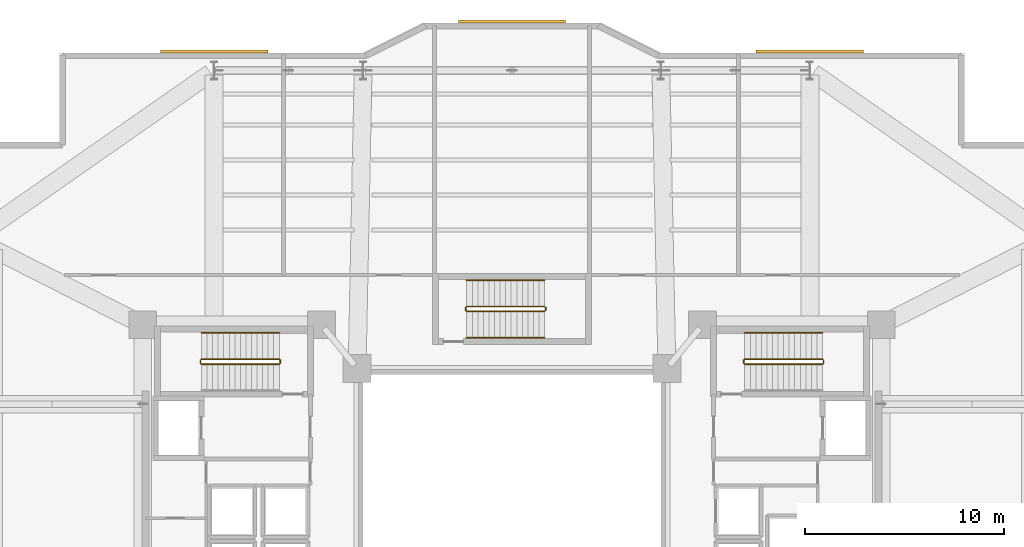
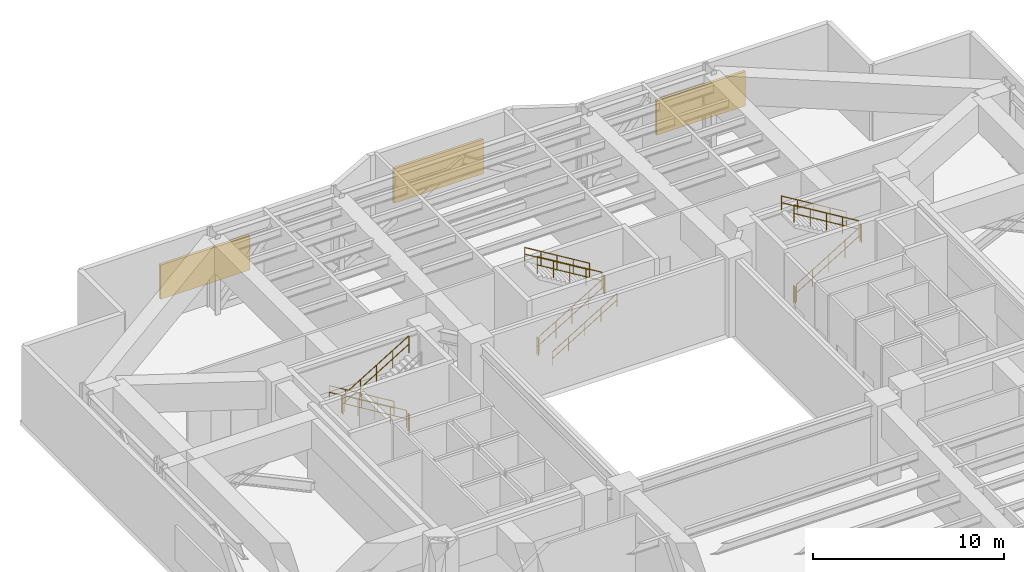
# One storey, part 12 of 12: 16 railings, 3 shading devices.
"""IFC4 building model written with IfcOpenShell, lengths in metres."""

from ifc_helpers import new_model, si_unit, direction, frame, origin, origin_2d, place, context, subcontext, project, spatial, rectangle, circle, extrude, material, layer, layer_set, type_object, element, save


model = new_model("IFC4")

# Units and contexts
model_context = context("Model", 3, precision=1e-05, world=origin(), true_north=direction((0.0, 1.0)))
body_context = subcontext(model_context, "Body", "Model", "MODEL_VIEW")
ifc_project = project(units=[si_unit("LENGTHUNIT", "METRE"), si_unit("AREAUNIT", "SQUARE_METRE"), si_unit("VOLUMEUNIT", "CUBIC_METRE"), si_unit("PLANEANGLEUNIT", "RADIAN"), si_unit("MASSUNIT", "GRAM", prefix="KILO")], contexts=[model_context])

# Site, building, storey
site_placement = place(None, origin())
site = spatial("IfcSite", under=ifc_project, at=site_placement, CompositionType="ELEMENT")
building_placement = place(site_placement, origin())
building = spatial("IfcBuilding", under=site, at=building_placement, Name="Tarnavaz Court Tower", CompositionType="ELEMENT")
storey_placement = place(building_placement, frame((0.0, 0.0, 73.199951171875)))
storey = spatial("IfcBuildingStorey", under=building, at=storey_placement, Name="L19", CompositionType="ELEMENT", Elevation=73.199951171875)

# Railings
ifc_material_1 = material(Name="Brushed Stainless Steel", Category="steel")
railing_type_1 = type_object("IfcRailingType", Name="RL-HANDRAIL-900", PredefinedType="HANDRAIL", material=ifc_material_1)
railing_1_placement = place(storey_placement, frame((-11.719970703125, 9.590087890625, 0.170166015625)))
element("IfcRailing", 1, at=railing_1_placement, inside=storey, type_object=railing_type_1, Name="L19 ST-W1 stair handrail 1", PredefinedType="HANDRAIL", context=body_context, shape_type="SweptSolid", body=[
    extrude(circle(Radius=0.02392578125, at=origin_2d()), frame((0.0, 0.0, 0.8759765625), z_axis=(-0.854794262968, 0.0, 0.518967020143), x_axis=(0.0, -1.0, 0.0)), (0.0, 0.0, 1.0), 4.585693359375),
    extrude(circle(Radius=0.02392578125, at=origin_2d()), frame((0.0, 0.0, 0.449951171875), z_axis=(-0.854794262968, 0.0, 0.518967020143), x_axis=(0.0, -1.0, 0.0)), (0.0, 0.0, 1.0), 4.585693359375),
    extrude(circle(Radius=0.02099609375, at=origin_2d()), origin(), (0.0, 0.0, 1.0), 0.851806640625),
    extrude(circle(Radius=0.02099609375, at=origin_2d()), frame((-0.97998046875, 0.0, 0.594970703125)), (0.0, 0.0, 1.0), 0.851806640625),
    extrude(circle(Radius=0.02099609375, at=origin_2d()), frame((-1.9599609375, 0.0, 1.18994140625)), (0.0, 0.0, 1.0), 0.851806640625),
    extrude(circle(Radius=0.02099609375, at=origin_2d()), frame((-2.93994140625, 0.0, 1.784912109375)), (0.0, 0.0, 1.0), 0.851806640625),
    extrude(circle(Radius=0.02099609375, at=origin_2d()), frame((-3.919921875, 0.0, 2.3798828125)), (0.0, 0.0, 1.0), 0.851806640625),
])
railing_2_placement = place(storey_placement, frame((15.639892578125, 9.590087890625, 2.719970703125)))
element("IfcRailing", 2, at=railing_2_placement, inside=storey, type_object=railing_type_1, Name="L19 ST-E1 stair handrail 2", PredefinedType="HANDRAIL", context=body_context, shape_type="SweptSolid", body=[
    extrude(circle(Radius=0.02392578125, at=origin_2d()), frame((0.0, 0.0, 0.8759765625), z_axis=(-0.854770645689, 0.0, 0.519005918337), x_axis=(0.0, -1.0, 0.0)), (0.0, 0.0, 1.0), 4.5859375),
    extrude(circle(Radius=0.02392578125, at=origin_2d()), frame((0.0, 0.0, 0.449951171875), z_axis=(-0.854770645689, 0.0, 0.519005918337), x_axis=(0.0, -1.0, 0.0)), (0.0, 0.0, 1.0), 4.5859375),
    extrude(circle(Radius=0.02099609375, at=origin_2d()), origin(), (0.0, 0.0, 1.0), 0.851806640625),
    extrude(circle(Radius=0.02099609375, at=origin_2d()), frame((-0.97998046875, 0.0, 0.594970703125)), (0.0, 0.0, 1.0), 0.851806640625),
    extrude(circle(Radius=0.02099609375, at=origin_2d()), frame((-1.9599609375, 0.0, 1.18994140625)), (0.0, 0.0, 1.0), 0.851806640625),
    extrude(circle(Radius=0.02099609375, at=origin_2d()), frame((-2.93994140625, 0.0, 1.78515625)), (0.0, 0.0, 1.0), 0.851806640625),
    extrude(circle(Radius=0.02099609375, at=origin_2d()), frame((-3.919921875, 0.0, 2.380126953125)), (0.0, 0.0, 1.0), 0.851806640625),
])
railing_3_placement = place(storey_placement, frame((-2.280029296875, 9.35009765625, 0.170166015625)))
element("IfcRailing", 3, at=railing_3_placement, inside=storey, type_object=railing_type_1, Name="L19 ST-N1 stair handrail 1", PredefinedType="HANDRAIL", context=body_context, shape_type="SweptSolid", body=[
    extrude(circle(Radius=0.02392578125, at=origin_2d()), frame((0.0, 0.0, 0.8759765625), z_axis=(0.854794262968, 0.0, 0.518967020143), x_axis=(0.0, 1.0, 0.0)), (0.0, 0.0, 1.0), 4.585693359375),
    extrude(circle(Radius=0.02392578125, at=origin_2d()), frame((0.0, 0.0, 0.449951171875), z_axis=(0.854794262968, 0.0, 0.518967020143), x_axis=(0.0, 1.0, 0.0)), (0.0, 0.0, 1.0), 4.585693359375),
    extrude(circle(Radius=0.02099609375, at=origin_2d()), origin(), (0.0, 0.0, 1.0), 0.851806640625),
    extrude(circle(Radius=0.02099609375, at=origin_2d()), frame((0.97998046875, 0.0, 0.594970703125)), (0.0, 0.0, 1.0), 0.851806640625),
    extrude(circle(Radius=0.02099609375, at=origin_2d()), frame((1.9599609375, 0.0, 1.18994140625)), (0.0, 0.0, 1.0), 0.851806640625),
    extrude(circle(Radius=0.02099609375, at=origin_2d()), frame((2.93994140625, 0.0, 1.784912109375)), (0.0, 0.0, 1.0), 0.851806640625),
    extrude(circle(Radius=0.02099609375, at=origin_2d()), frame((3.919921875, 0.0, 2.3798828125)), (0.0, 0.0, 1.0), 0.851806640625),
])
railing_4_placement = place(storey_placement, frame((1.639892578125, 12.239990234375, 2.719970703125)))
element("IfcRailing", 4, at=railing_4_placement, inside=storey, type_object=railing_type_1, Name="L19 ST-N1 stair handrail 2", PredefinedType="HANDRAIL", context=body_context, shape_type="SweptSolid", body=[
    extrude(circle(Radius=0.02392578125, at=origin_2d()), frame((0.0, 0.0, 0.8759765625), z_axis=(-0.854770645689, 0.0, 0.519005918337), x_axis=(0.0, -1.0, 0.0)), (0.0, 0.0, 1.0), 4.5859375),
    extrude(circle(Radius=0.02392578125, at=origin_2d()), frame((0.0, 0.0, 0.449951171875), z_axis=(-0.854770645689, 0.0, 0.519005918337), x_axis=(0.0, -1.0, 0.0)), (0.0, 0.0, 1.0), 4.5859375),
    extrude(circle(Radius=0.02099609375, at=origin_2d()), origin(), (0.0, 0.0, 1.0), 0.851806640625),
    extrude(circle(Radius=0.02099609375, at=origin_2d()), frame((-0.97998046875, 0.0, 0.594970703125)), (0.0, 0.0, 1.0), 0.851806640625),
    extrude(circle(Radius=0.02099609375, at=origin_2d()), frame((-1.9599609375, 0.0, 1.18994140625)), (0.0, 0.0, 1.0), 0.851806640625),
    extrude(circle(Radius=0.02099609375, at=origin_2d()), frame((-2.93994140625, 0.0, 1.78515625)), (0.0, 0.0, 1.0), 0.851806640625),
    extrude(circle(Radius=0.02099609375, at=origin_2d()), frame((-3.919921875, 0.0, 2.380126953125)), (0.0, 0.0, 1.0), 0.851806640625),
])
ifc_material_2 = material(Name="Galvanized Painted Tubular Steel", Category="steel")
railing_type_2 = type_object("IfcRailingType", Name="RL-STGUARD-1120", PredefinedType="GUARDRAIL", material=ifc_material_2)
railing_5_placement = place(storey_placement, frame((-11.719970703125, 8.27001953125, 0.170166015625)))
element("IfcRailing", 5, at=railing_5_placement, inside=storey, type_object=railing_type_2, Name="L19 ST-W1 stair guard 1", PredefinedType="GUARDRAIL", context=body_context, shape_type="SweptSolid", body=[
    extrude(circle(Radius=0.02392578125, at=origin_2d()), frame((0.0, 0.0, 1.09619140625), z_axis=(-0.854794262968, 0.0, 0.518967020143), x_axis=(0.0, -1.0, 0.0)), (0.0, 0.0, 1.0), 4.585693359375),
    extrude(circle(Radius=0.02392578125, at=origin_2d()), frame((0.0, 0.0, 0.56005859375), z_axis=(-0.854794262968, 0.0, 0.518967020143), x_axis=(0.0, -1.0, 0.0)), (0.0, 0.0, 1.0), 4.585693359375),
    extrude(circle(Radius=0.02099609375, at=origin_2d()), origin(), (0.0, 0.0, 1.0), 1.072021484375),
    extrude(circle(Radius=0.02099609375, at=origin_2d()), frame((-0.97998046875, 0.0, 0.594970703125)), (0.0, 0.0, 1.0), 1.072021484375),
    extrude(circle(Radius=0.02099609375, at=origin_2d()), frame((-1.9599609375, 0.0, 1.18994140625)), (0.0, 0.0, 1.0), 1.072021484375),
    extrude(circle(Radius=0.02099609375, at=origin_2d()), frame((-2.93994140625, 0.0, 1.784912109375)), (0.0, 0.0, 1.0), 1.072021484375),
    extrude(circle(Radius=0.02099609375, at=origin_2d()), frame((-3.919921875, 0.0, 2.3798828125)), (0.0, 0.0, 1.0), 1.072021484375),
])
railing_6_placement = place(storey_placement, frame((-15.68994140625, 8.219970703125, 2.550048828125)))
element("IfcRailing", 6, at=railing_6_placement, inside=storey, type_object=railing_type_2, Name="L19 ST-W1 stair guard 2", PredefinedType="GUARDRAIL", context=body_context, shape_type="SweptSolid", body=[
    extrude(circle(Radius=0.02392578125, at=origin_2d()), frame((0.0, 0.0, 1.09619140625), z_axis=(0.0, -1.0, 0.0), x_axis=(1.0, 0.0, 0.0)), (0.0, 0.0, 1.0), 0.14990234375),
    extrude(circle(Radius=0.02392578125, at=origin_2d()), frame((0.0, 0.0, 0.56005859375), z_axis=(0.0, -1.0, 0.0), x_axis=(1.0, 0.0, 0.0)), (0.0, 0.0, 1.0), 0.14990234375),
    extrude(circle(Radius=0.02099609375, at=origin_2d()), origin(), (0.0, 0.0, 1.0), 1.072021484375),
    extrude(circle(Radius=0.02099609375, at=origin_2d()), frame((0.0, -0.14990234375, 0.0)), (0.0, 0.0, 1.0), 1.072021484375),
])
railing_7_placement = place(storey_placement, frame((-15.639892578125, 8.02001953125, 2.719970703125)))
element("IfcRailing", 7, at=railing_7_placement, inside=storey, type_object=railing_type_2, Name="L19 ST-W1 stair guard 3", PredefinedType="GUARDRAIL", context=body_context, shape_type="SweptSolid", body=[
    extrude(circle(Radius=0.02392578125, at=origin_2d()), frame((0.0, 0.0, 1.09619140625), z_axis=(0.854770645689, 0.0, 0.519005918337), x_axis=(0.0, 1.0, 0.0)), (0.0, 0.0, 1.0), 4.5859375),
    extrude(circle(Radius=0.02392578125, at=origin_2d()), frame((0.0, 0.0, 0.56005859375), z_axis=(0.854770645689, 0.0, 0.519005918337), x_axis=(0.0, 1.0, 0.0)), (0.0, 0.0, 1.0), 4.5859375),
    extrude(circle(Radius=0.02099609375, at=origin_2d()), origin(), (0.0, 0.0, 1.0), 1.072021484375),
    extrude(circle(Radius=0.02099609375, at=origin_2d()), frame((0.97998046875, 0.0, 0.594970703125)), (0.0, 0.0, 1.0), 1.072021484375),
    extrude(circle(Radius=0.02099609375, at=origin_2d()), frame((1.9599609375, 0.0, 1.18994140625)), (0.0, 0.0, 1.0), 1.072021484375),
    extrude(circle(Radius=0.02099609375, at=origin_2d()), frame((2.93994140625, 0.0, 1.78515625)), (0.0, 0.0, 1.0), 1.072021484375),
    extrude(circle(Radius=0.02099609375, at=origin_2d()), frame((3.919921875, 0.0, 2.380126953125)), (0.0, 0.0, 1.0), 1.072021484375),
])
railing_8_placement = place(storey_placement, frame((-11.669921875, 8.219970703125, 0.0)))
element("IfcRailing", 8, at=railing_8_placement, inside=storey, type_object=railing_type_2, Name="L19 ST-W1 stair guard 4", PredefinedType="GUARDRAIL", context=body_context, shape_type="SweptSolid", body=[
    extrude(circle(Radius=0.02392578125, at=origin_2d()), frame((0.0, 0.0, 1.09619140625), z_axis=(0.0, -1.0, 0.0), x_axis=(1.0, 0.0, 0.0)), (0.0, 0.0, 1.0), 0.14990234375),
    extrude(circle(Radius=0.02392578125, at=origin_2d()), frame((0.0, 0.0, 0.56005859375), z_axis=(0.0, -1.0, 0.0), x_axis=(1.0, 0.0, 0.0)), (0.0, 0.0, 1.0), 0.14990234375),
    extrude(circle(Radius=0.02099609375, at=origin_2d()), origin(), (0.0, 0.0, 1.0), 1.072021484375),
    extrude(circle(Radius=0.02099609375, at=origin_2d()), frame((0.0, -0.14990234375, 0.0)), (0.0, 0.0, 1.0), 1.072021484375),
])
railing_9_placement = place(storey_placement, frame((11.719970703125, 8.02001953125, 0.170166015625)))
element("IfcRailing", 9, at=railing_9_placement, inside=storey, type_object=railing_type_2, Name="L19 ST-E1 stair guard 1", PredefinedType="GUARDRAIL", context=body_context, shape_type="SweptSolid", body=[
    extrude(circle(Radius=0.02392578125, at=origin_2d()), frame((0.0, 0.0, 1.09619140625), z_axis=(0.854794262968, 0.0, 0.518967020143), x_axis=(0.0, 1.0, 0.0)), (0.0, 0.0, 1.0), 4.585693359375),
    extrude(circle(Radius=0.02392578125, at=origin_2d()), frame((0.0, 0.0, 0.56005859375), z_axis=(0.854794262968, 0.0, 0.518967020143), x_axis=(0.0, 1.0, 0.0)), (0.0, 0.0, 1.0), 4.585693359375),
    extrude(circle(Radius=0.02099609375, at=origin_2d()), origin(), (0.0, 0.0, 1.0), 1.072021484375),
    extrude(circle(Radius=0.02099609375, at=origin_2d()), frame((0.97998046875, 0.0, 0.594970703125)), (0.0, 0.0, 1.0), 1.072021484375),
    extrude(circle(Radius=0.02099609375, at=origin_2d()), frame((1.9599609375, 0.0, 1.18994140625)), (0.0, 0.0, 1.0), 1.072021484375),
    extrude(circle(Radius=0.02099609375, at=origin_2d()), frame((2.93994140625, 0.0, 1.784912109375)), (0.0, 0.0, 1.0), 1.072021484375),
    extrude(circle(Radius=0.02099609375, at=origin_2d()), frame((3.919921875, 0.0, 2.3798828125)), (0.0, 0.0, 1.0), 1.072021484375),
])
railing_10_placement = place(storey_placement, frame((15.68994140625, 8.070068359375, 2.550048828125)))
element("IfcRailing", 10, at=railing_10_placement, inside=storey, type_object=railing_type_2, Name="L19 ST-E1 stair guard 2", PredefinedType="GUARDRAIL", context=body_context, shape_type="SweptSolid", body=[
    extrude(circle(Radius=0.02392578125, at=origin_2d()), frame((0.0, 0.0, 1.09619140625), z_axis=(0.0, 1.0, 0.0), x_axis=(-1.0, 0.0, 0.0)), (0.0, 0.0, 1.0), 0.14990234375),
    extrude(circle(Radius=0.02392578125, at=origin_2d()), frame((0.0, 0.0, 0.56005859375), z_axis=(0.0, 1.0, 0.0), x_axis=(-1.0, 0.0, 0.0)), (0.0, 0.0, 1.0), 0.14990234375),
    extrude(circle(Radius=0.02099609375, at=origin_2d()), origin(), (0.0, 0.0, 1.0), 1.072021484375),
    extrude(circle(Radius=0.02099609375, at=origin_2d()), frame((0.0, 0.14990234375, 0.0)), (0.0, 0.0, 1.0), 1.072021484375),
])
railing_11_placement = place(storey_placement, frame((15.639892578125, 8.27001953125, 2.719970703125)))
element("IfcRailing", 11, at=railing_11_placement, inside=storey, type_object=railing_type_2, Name="L19 ST-E1 stair guard 3", PredefinedType="GUARDRAIL", context=body_context, shape_type="SweptSolid", body=[
    extrude(circle(Radius=0.02392578125, at=origin_2d()), frame((0.0, 0.0, 1.09619140625), z_axis=(-0.854770645689, 0.0, 0.519005918337), x_axis=(0.0, -1.0, 0.0)), (0.0, 0.0, 1.0), 4.5859375),
    extrude(circle(Radius=0.02392578125, at=origin_2d()), frame((0.0, 0.0, 0.56005859375), z_axis=(-0.854770645689, 0.0, 0.519005918337), x_axis=(0.0, -1.0, 0.0)), (0.0, 0.0, 1.0), 4.5859375),
    extrude(circle(Radius=0.02099609375, at=origin_2d()), origin(), (0.0, 0.0, 1.0), 1.072021484375),
    extrude(circle(Radius=0.02099609375, at=origin_2d()), frame((-0.97998046875, 0.0, 0.594970703125)), (0.0, 0.0, 1.0), 1.072021484375),
    extrude(circle(Radius=0.02099609375, at=origin_2d()), frame((-1.9599609375, 0.0, 1.18994140625)), (0.0, 0.0, 1.0), 1.072021484375),
    extrude(circle(Radius=0.02099609375, at=origin_2d()), frame((-2.93994140625, 0.0, 1.78515625)), (0.0, 0.0, 1.0), 1.072021484375),
    extrude(circle(Radius=0.02099609375, at=origin_2d()), frame((-3.919921875, 0.0, 2.380126953125)), (0.0, 0.0, 1.0), 1.072021484375),
])
railing_12_placement = place(storey_placement, frame((11.669921875, 8.070068359375, 0.0)))
element("IfcRailing", 12, at=railing_12_placement, inside=storey, type_object=railing_type_2, Name="L19 ST-E1 stair guard 4", PredefinedType="GUARDRAIL", context=body_context, shape_type="SweptSolid", body=[
    extrude(circle(Radius=0.02392578125, at=origin_2d()), frame((0.0, 0.0, 1.09619140625), z_axis=(0.0, 1.0, 0.0), x_axis=(-1.0, 0.0, 0.0)), (0.0, 0.0, 1.0), 0.14990234375),
    extrude(circle(Radius=0.02392578125, at=origin_2d()), frame((0.0, 0.0, 0.56005859375), z_axis=(0.0, 1.0, 0.0), x_axis=(-1.0, 0.0, 0.0)), (0.0, 0.0, 1.0), 0.14990234375),
    extrude(circle(Radius=0.02099609375, at=origin_2d()), origin(), (0.0, 0.0, 1.0), 1.072021484375),
    extrude(circle(Radius=0.02099609375, at=origin_2d()), frame((0.0, 0.14990234375, 0.0)), (0.0, 0.0, 1.0), 1.072021484375),
])
railing_13_placement = place(storey_placement, frame((-2.280029296875, 10.669921875, 0.170166015625)))
element("IfcRailing", 13, at=railing_13_placement, inside=storey, type_object=railing_type_2, Name="L19 ST-N1 stair guard 1", PredefinedType="GUARDRAIL", context=body_context, shape_type="SweptSolid", body=[
    extrude(circle(Radius=0.02392578125, at=origin_2d()), frame((0.0, 0.0, 1.09619140625), z_axis=(0.854794262968, 0.0, 0.518967020143), x_axis=(0.0, 1.0, 0.0)), (0.0, 0.0, 1.0), 4.585693359375),
    extrude(circle(Radius=0.02392578125, at=origin_2d()), frame((0.0, 0.0, 0.56005859375), z_axis=(0.854794262968, 0.0, 0.518967020143), x_axis=(0.0, 1.0, 0.0)), (0.0, 0.0, 1.0), 4.585693359375),
    extrude(circle(Radius=0.02099609375, at=origin_2d()), origin(), (0.0, 0.0, 1.0), 1.072021484375),
    extrude(circle(Radius=0.02099609375, at=origin_2d()), frame((0.97998046875, 0.0, 0.594970703125)), (0.0, 0.0, 1.0), 1.072021484375),
    extrude(circle(Radius=0.02099609375, at=origin_2d()), frame((1.9599609375, 0.0, 1.18994140625)), (0.0, 0.0, 1.0), 1.072021484375),
    extrude(circle(Radius=0.02099609375, at=origin_2d()), frame((2.93994140625, 0.0, 1.784912109375)), (0.0, 0.0, 1.0), 1.072021484375),
    extrude(circle(Radius=0.02099609375, at=origin_2d()), frame((3.919921875, 0.0, 2.3798828125)), (0.0, 0.0, 1.0), 1.072021484375),
])
railing_14_placement = place(storey_placement, frame((1.68994140625, 10.719970703125, 2.550048828125)))
element("IfcRailing", 14, at=railing_14_placement, inside=storey, type_object=railing_type_2, Name="L19 ST-N1 stair guard 2", PredefinedType="GUARDRAIL", context=body_context, shape_type="SweptSolid", body=[
    extrude(circle(Radius=0.02392578125, at=origin_2d()), frame((0.0, 0.0, 1.09619140625), z_axis=(0.0, 1.0, 0.0), x_axis=(-1.0, 0.0, 0.0)), (0.0, 0.0, 1.0), 0.150146484375),
    extrude(circle(Radius=0.02392578125, at=origin_2d()), frame((0.0, 0.0, 0.56005859375), z_axis=(0.0, 1.0, 0.0), x_axis=(-1.0, 0.0, 0.0)), (0.0, 0.0, 1.0), 0.150146484375),
    extrude(circle(Radius=0.02099609375, at=origin_2d()), origin(), (0.0, 0.0, 1.0), 1.072021484375),
    extrude(circle(Radius=0.02099609375, at=origin_2d()), frame((0.0, 0.150146484375, 0.0)), (0.0, 0.0, 1.0), 1.072021484375),
])
railing_15_placement = place(storey_placement, frame((1.639892578125, 10.919921875, 2.719970703125)))
element("IfcRailing", 15, at=railing_15_placement, inside=storey, type_object=railing_type_2, Name="L19 ST-N1 stair guard 3", PredefinedType="GUARDRAIL", context=body_context, shape_type="SweptSolid", body=[
    extrude(circle(Radius=0.02392578125, at=origin_2d()), frame((0.0, 0.0, 1.09619140625), z_axis=(-0.854770645689, 0.0, 0.519005918337), x_axis=(0.0, -1.0, 0.0)), (0.0, 0.0, 1.0), 4.5859375),
    extrude(circle(Radius=0.02392578125, at=origin_2d()), frame((0.0, 0.0, 0.56005859375), z_axis=(-0.854770645689, 0.0, 0.519005918337), x_axis=(0.0, -1.0, 0.0)), (0.0, 0.0, 1.0), 4.5859375),
    extrude(circle(Radius=0.02099609375, at=origin_2d()), origin(), (0.0, 0.0, 1.0), 1.072021484375),
    extrude(circle(Radius=0.02099609375, at=origin_2d()), frame((-0.97998046875, 0.0, 0.594970703125)), (0.0, 0.0, 1.0), 1.072021484375),
    extrude(circle(Radius=0.02099609375, at=origin_2d()), frame((-1.9599609375, 0.0, 1.18994140625)), (0.0, 0.0, 1.0), 1.072021484375),
    extrude(circle(Radius=0.02099609375, at=origin_2d()), frame((-2.93994140625, 0.0, 1.78515625)), (0.0, 0.0, 1.0), 1.072021484375),
    extrude(circle(Radius=0.02099609375, at=origin_2d()), frame((-3.919921875, 0.0, 2.380126953125)), (0.0, 0.0, 1.0), 1.072021484375),
])
railing_16_placement = place(storey_placement, frame((-2.330078125, 10.719970703125, 0.0)))
element("IfcRailing", 16, at=railing_16_placement, inside=storey, type_object=railing_type_2, Name="L19 ST-N1 stair guard 4", PredefinedType="GUARDRAIL", context=body_context, shape_type="SweptSolid", body=[
    extrude(circle(Radius=0.02392578125, at=origin_2d()), frame((0.0, 0.0, 1.09619140625), z_axis=(0.0, 1.0, 0.0), x_axis=(-1.0, 0.0, 0.0)), (0.0, 0.0, 1.0), 0.150146484375),
    extrude(circle(Radius=0.02392578125, at=origin_2d()), frame((0.0, 0.0, 0.56005859375), z_axis=(0.0, 1.0, 0.0), x_axis=(-1.0, 0.0, 0.0)), (0.0, 0.0, 1.0), 0.150146484375),
    extrude(circle(Radius=0.02099609375, at=origin_2d()), origin(), (0.0, 0.0, 1.0), 1.072021484375),
    extrude(circle(Radius=0.02099609375, at=origin_2d()), frame((0.0, 0.150146484375, 0.0)), (0.0, 0.0, 1.0), 1.072021484375),
])

# Shading devices
ifc_material_3 = material(Name="Anodised Aluminium 6063-T6 Acoustic Louvre", Category="aluminium")
ifc_layer = layer(ifc_material_3, 0.159912109375)
ifc_layer_set = layer_set([ifc_layer], Name="Anodised Aluminium 6063-T6 Acoustic Louvre")
shading_device_type = type_object("IfcShadingDeviceType", Name="SD-LOUV-200", PredefinedType="JALOUSIE", material=ifc_layer_set)
for number, where, z_axis, x_axis, name in (
    (17, (-15.0, 23.77001953125, 1.10009765625), (0.0, 0.0, 1.0), (1.0, 0.0, 0.0), "L19 Plant Sand-Trap Acoustic Louvre 05"),
    (18, (0.0, 25.27001953125, 1.10009765625), (0.0, 0.0, 1.0), (1.0, 0.0, 0.0), "L19 Plant Sand-Trap Acoustic Louvre 07"),
    (19, (15.0, 23.77001953125, 1.10009765625), (0.0, 0.0, 1.0), (1.0, 0.0, 0.0), "L19 Plant Sand-Trap Acoustic Louvre 09"),
):
    element("IfcShadingDevice", number, at=place(storey_placement, frame(where, z_axis=z_axis, x_axis=x_axis)), inside=storey, type_object=shading_device_type, Name=name, PredefinedType="JALOUSIE", context=body_context, shape_type="SweptSolid", body=[
        extrude(rectangle(XDim=5.39990234375, YDim=0.159912109375, at=origin_2d()), origin(), (0.0, 0.0, 1.0), 2.199951171875),
    ])

save(model, "model.ifc")
